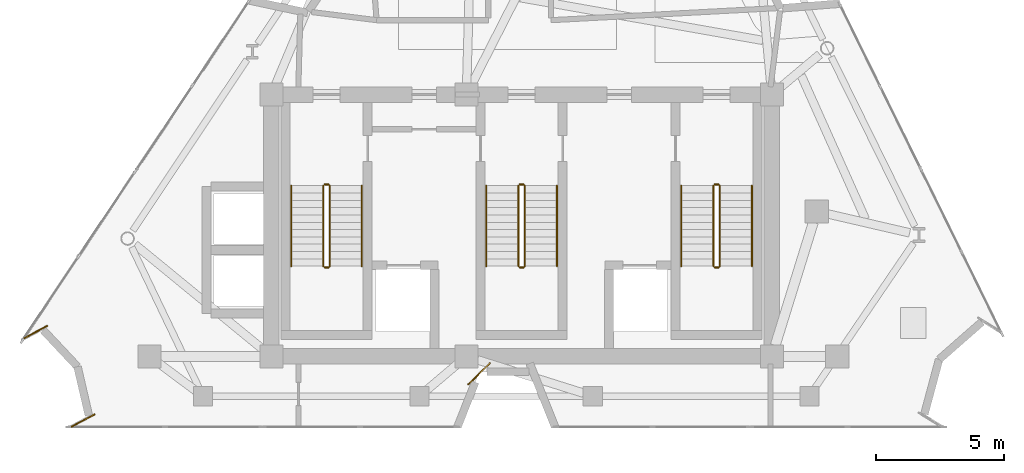
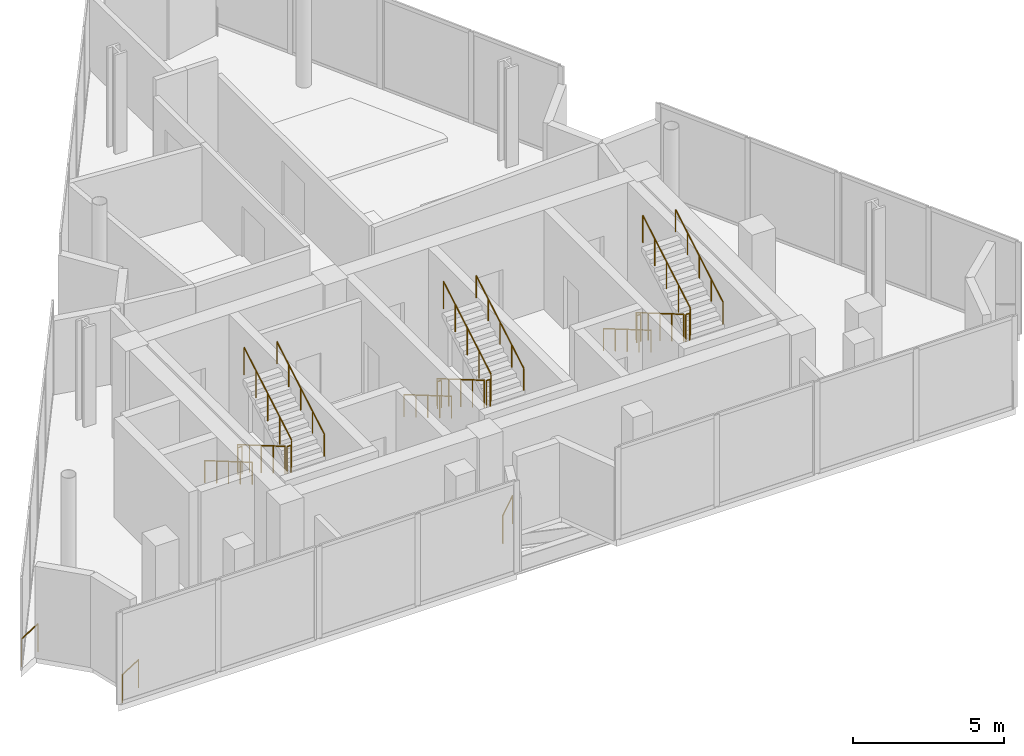
# One storey, part 8 of 9: 21 railings.
"""IFC4 building model written with IfcOpenShell, lengths in metres."""

import ifcopenshell
import ifcopenshell.guid

model = None  # the IFC model being written
_history = None  # IfcOwnerHistory: only IFC2X3 demands one
_inside = {}  # id of a spatial element -> (the spatial element, [elements in it])
_under = {}  # id of a project, library or spatial element -> (it, [spatial elements below it])
_declared = {}  # id of a project -> (the project, [libraries it declares])
_typed = {}  # id of a type object -> (the type object, [elements of that type])
_made_of = {}  # id of a material, layer set ... -> (it, [elements and type objects made of it])


def new_model(schema):
    """Start an empty IFC model of exactly this schema.

    Asked for "IFC4X3", IfcOpenShell would pick the latest addendum, in which some entities
    have other attributes; the version numbers below select the first issue.
    IFC2X3 requires an IfcOwnerHistory on every rooted entity: one is made here for all.
    """
    global model, _history
    if schema == "IFC4X3":
        model = ifcopenshell.file(schema_version=(4, 3, 0, 0))
    else:
        model = ifcopenshell.file(schema=schema)
    _inside.clear()
    _under.clear()
    _declared.clear()
    _typed.clear()
    _made_of.clear()
    _history = None
    if model.schema == "IFC2X3":
        org = make("IfcOrganization", Name="unknown")
        user = make(
            "IfcPersonAndOrganization",
            ThePerson=make("IfcPerson", FamilyName="unknown"),
            TheOrganization=org,
        )
        app = make(
            "IfcApplication",
            ApplicationDeveloper=org,
            Version="unknown",
            ApplicationFullName="unknown",
            ApplicationIdentifier="unknown",
        )
        _history = make(
            "IfcOwnerHistory",
            OwningUser=user,
            OwningApplication=app,
            ChangeAction="ADDED",
            CreationDate=0,
        )
    return model


def make(cls, **values):
    """One entity of the class cls with the attributes given. An attribute that is None is left unset."""
    return model.create_entity(
        cls, **{name: value for name, value in values.items() if value is not None}
    )


def rooted(cls, **values):
    """An entity with a GlobalId (a new one), such as an element, a storey or a relation."""
    return make(cls, GlobalId=ifcopenshell.guid.new(), OwnerHistory=_history, **values)


def si_unit(unit_type, name, prefix=None):
    """IfcSIUnit, for example si_unit("LENGTHUNIT", "METRE", prefix="MILLI")."""
    return make("IfcSIUnit", UnitType=unit_type, Prefix=prefix, Name=name)


def assignment(units):
    """IfcUnitAssignment: the units of a project."""
    return None if units is None else make("IfcUnitAssignment", Units=units)


def point(xyz):
    """IfcCartesianPoint."""
    return None if xyz is None else make("IfcCartesianPoint", Coordinates=xyz)


def direction(xyz):
    """IfcDirection."""
    return None if xyz is None else make("IfcDirection", DirectionRatios=xyz)


def frame(location, z_axis=None, x_axis=None):
    """IfcAxis2Placement3D, a coordinate frame: its origin and axes. An axis left out is left unset."""
    return make(
        "IfcAxis2Placement3D",
        Location=point(location),
        Axis=direction(z_axis),
        RefDirection=direction(x_axis),
    )


def frame_2d(location, x_axis=None):
    """IfcAxis2Placement2D, a coordinate frame in the plane: its origin and x axis."""
    return make(
        "IfcAxis2Placement2D", Location=point(location), RefDirection=direction(x_axis)
    )


def origin():
    """The frame at (0, 0, 0) with its axes left unset."""
    return frame((0.0, 0.0, 0.0))


def origin_2d():
    """The frame at (0, 0) in the plane with its x axis left unset."""
    return frame_2d((0.0, 0.0))


def place(relative_to, where):
    """IfcLocalPlacement: puts the frame where relative to a parent placement (None: the world)."""
    return make(
        "IfcLocalPlacement", PlacementRelTo=relative_to, RelativePlacement=where
    )


def context(
    kind, dimensions, precision=None, world=None, true_north=None, identifier=None
):
    """IfcGeometricRepresentationContext, for example the 3D "Model" context."""
    return make(
        "IfcGeometricRepresentationContext",
        ContextIdentifier=identifier,
        ContextType=kind,
        CoordinateSpaceDimension=dimensions,
        Precision=precision,
        WorldCoordinateSystem=world,
        TrueNorth=true_north,
    )


def subcontext(parent, identifier, kind, view, scale=None):
    """IfcGeometricRepresentationSubContext, for example "Body" below "Model"."""
    return make(
        "IfcGeometricRepresentationSubContext",
        ContextIdentifier=identifier,
        ContextType=kind,
        ParentContext=parent,
        TargetScale=scale,
        TargetView=view,
    )


def project(units=None, contexts=None):
    """IfcProject with its units and contexts."""
    return rooted(
        "IfcProject",
        Name="project",
        RepresentationContexts=contexts,
        UnitsInContext=assignment(units),
    )


def spatial(cls, under=None, at=None, **own):
    """A site, building, storey or space (cls), placed at a placement, below another one or the project."""
    s = rooted(cls, ObjectPlacement=at, **own)
    if under is not None:
        _under.setdefault(under.id(), (under, []))[1].append(s)
    return s


def profile(cls, at=None, kind="AREA", **sizes):
    """A parametric profile (cls). Its sizes go by their IFC names, for example OverallWidth=200.0."""
    return make(cls, ProfileType=kind, Position=at, **sizes)


def circle(**sizes):
    """IfcCircleProfileDef."""
    return profile("IfcCircleProfileDef", **sizes)


def extrude(swept, where, along, depth):
    """IfcExtrudedAreaSolid: the profile swept, set in the frame where, extruded along a direction by depth."""
    return make(
        "IfcExtrudedAreaSolid",
        SweptArea=swept,
        Position=where,
        ExtrudedDirection=direction(along),
        Depth=depth,
    )


def shape(context_of_items, identifier, shape_type, items):
    """IfcShapeRepresentation: the items that make up one representation, for example the "Body"."""
    return make(
        "IfcShapeRepresentation",
        ContextOfItems=context_of_items,
        RepresentationIdentifier=identifier,
        RepresentationType=shape_type,
        Items=items,
    )


def material(Name=None, Category=None):
    """IfcMaterial."""
    return make("IfcMaterial", Name=Name, Category=Category)


def made_of(thing, what):
    """Note that an element or type object is made of a material, layer set ...; save() writes the relation."""
    if what is not None:
        _made_of.setdefault(what.id(), (what, []))[1].append(thing)
    return thing


def type_object(cls, material=None, **own):
    """A type object (cls), such as IfcWallType, which elements share."""
    return made_of(rooted(cls, **own), material)


def element(
    cls,
    number,
    at=None,
    inside=None,
    cuts=None,
    type_object=None,
    material=None,
    context=None,
    identifier="Body",
    shape_type=None,
    held_by="IfcProductDefinitionShape",
    body=None,
    shapes=None,
    **own,
):
    """One element of the class cls, such as IfcWall. Its Tag is "e" and its number.

    at: its placement. inside: the storey or other place that contains it. cuts: it is an
    opening in that element (IfcRelVoidsElement). A single representation is given by context,
    identifier, shape_type and body (its items); several are given by shapes. held_by: the class
    of the entity that holds the representations. save() writes the other relations.
    """
    e = rooted(cls, Tag="e%d" % number, ObjectPlacement=at, **own)
    if body is not None:
        shapes = [shape(context, identifier, shape_type, body)]
    if shapes is not None:
        e.Representation = make(held_by, Representations=shapes)
    if inside is not None:
        _inside.setdefault(inside.id(), (inside, []))[1].append(e)
    if cuts is not None:
        rooted(
            "IfcRelVoidsElement", RelatingBuildingElement=cuts, RelatedOpeningElement=e
        )
    if type_object is not None:
        _typed.setdefault(type_object.id(), (type_object, []))[1].append(e)
    return made_of(e, material)


def aggregate(whole, parts):
    """IfcRelAggregates: a whole, such as a stair, and the parts it consists of."""
    return rooted("IfcRelAggregates", RelatingObject=whole, RelatedObjects=parts)


def save(model, path):
    """Write the relations noted so far, then the file.

    IfcRelAggregates (storeys below a building ...), IfcRelContainedInSpatialStructure (elements
    in a storey), IfcRelDefinesByType, IfcRelAssociatesMaterial and IfcRelDeclares: one each for
    every whole, place, type object, material and project.
    """
    for whole, parts in _under.values():
        aggregate(whole, parts)
    for where, things in _inside.values():
        rooted(
            "IfcRelContainedInSpatialStructure",
            RelatedElements=things,
            RelatingStructure=where,
        )
    for kind, things in _typed.values():
        rooted("IfcRelDefinesByType", RelatedObjects=things, RelatingType=kind)
    for what, things in _made_of.values():
        rooted("IfcRelAssociatesMaterial", RelatedObjects=things, RelatingMaterial=what)
    for by, libraries in _declared.values():
        rooted("IfcRelDeclares", RelatingContext=by, RelatedDefinitions=libraries)
    model.write(path)


model = new_model("IFC4")

# Units and contexts
model_context = context("Model", 3, precision=1e-05, world=origin(), true_north=direction((0.0, 1.0)))
body_context = subcontext(model_context, "Body", "Model", "MODEL_VIEW")
ifc_project = project(units=[si_unit("LENGTHUNIT", "METRE"), si_unit("AREAUNIT", "SQUARE_METRE"), si_unit("VOLUMEUNIT", "CUBIC_METRE"), si_unit("PLANEANGLEUNIT", "RADIAN"), si_unit("MASSUNIT", "GRAM", prefix="KILO")], contexts=[model_context])

# Site, building, storey
site_placement = place(None, origin())
site = spatial("IfcSite", under=ifc_project, at=site_placement, CompositionType="ELEMENT")
building_placement = place(site_placement, origin())
building = spatial("IfcBuilding", under=site, at=building_placement, Name="Almagre Mirador Tower", CompositionType="ELEMENT")
storey_placement = place(building_placement, frame((0.0, 0.0, 298.5)))
storey = spatial("IfcBuildingStorey", under=building, at=storey_placement, Name="L77", CompositionType="ELEMENT", Elevation=298.5)

# Railings
ifc_material_1 = material(Name="Black anodized aluminium", Category="aluminium")
railing_type_1 = type_object("IfcRailingType", Name="RLG-BAL-1150", PredefinedType="BALUSTRADE", material=ifc_material_1)
railing_1_placement = place(storey_placement, frame((36.066162109375, 4.285400390625, 0.0)))
element("IfcRailing", 1, at=railing_1_placement, inside=storey, type_object=railing_type_1, Name="L77 perimeter edge balustrade 05", PredefinedType="BALUSTRADE", context=body_context, shape_type="SweptSolid", body=[
    extrude(circle(Radius=0.02392578125, at=origin_2d()), frame((0.0, 0.0, 1.1259765625), z_axis=(-0.715490957724, -0.698621993223, 0.0), x_axis=(0.698621993223, -0.715490957724, 0.0)), (0.0, 0.0, 1.0), 1.186767578125),
    extrude(circle(Radius=0.02099609375, at=origin_2d()), origin(), (0.0, 0.0, 1.0), 1.101806640625),
    extrude(circle(Radius=0.02099609375, at=origin_2d()), frame((-0.84912109375, -0.8291015625, 0.0)), (0.0, 0.0, 1.0), 1.101806640625),
])
railing_2_placement = place(storey_placement, frame((19.74951171875, 1.800537109375, 0.0)))
element("IfcRailing", 2, at=railing_2_placement, inside=storey, type_object=railing_type_1, Name="L77 perimeter edge balustrade 06", PredefinedType="BALUSTRADE", context=body_context, shape_type="SweptSolid", body=[
    extrude(circle(Radius=0.02392578125, at=origin_2d()), frame((0.0, 0.0, 1.1259765625), z_axis=(0.881575356013, 0.47204331546, 0.0), x_axis=(-0.47204331546, 0.881575356013, 0.0)), (0.0, 0.0, 1.0), 1.027099609375),
    extrude(circle(Radius=0.02099609375, at=origin_2d()), origin(), (0.0, 0.0, 1.0), 1.101806640625),
    extrude(circle(Radius=0.02099609375, at=origin_2d()), frame((0.905517578125, 0.48486328125, 0.0)), (0.0, 0.0, 1.0), 1.101806640625),
])
railing_3_placement = place(storey_placement, frame((18.81005859375, 5.734619140625, 0.0)))
element("IfcRailing", 3, at=railing_3_placement, inside=storey, type_object=railing_type_1, Name="L77 perimeter edge balustrade 07", PredefinedType="BALUSTRADE", context=body_context, shape_type="SweptSolid", body=[
    extrude(circle(Radius=0.02392578125, at=origin_2d()), frame((0.0, 0.0, 1.1259765625), z_axis=(-0.882069703175, -0.471118922079, 0.0), x_axis=(0.471118922079, -0.882069703175, 0.0)), (0.0, 0.0, 1.0), 1.026611328125),
    extrude(circle(Radius=0.02099609375, at=origin_2d()), origin(), (0.0, 0.0, 1.0), 1.101806640625),
    extrude(circle(Radius=0.02099609375, at=origin_2d()), frame((-0.905517578125, -0.483642578125, 0.0)), (0.0, 0.0, 1.0), 1.101806640625),
])
ifc_material_2 = material(Name="Painted galvanized steel", Category="steel")
railing_type_2 = type_object("IfcRailingType", Name="RLG-GRD-1100", PredefinedType="GUARDRAIL", material=ifc_material_2)
railing_4_placement = place(storey_placement, frame((29.574951171875, 11.199951171875, 0.166748046875)))
element("IfcRailing", 4, at=railing_4_placement, inside=storey, type_object=railing_type_2, Name="L77 ST-1 stair guard 1", PredefinedType="GUARDRAIL", context=body_context, shape_type="SweptSolid", body=[
    extrude(circle(Radius=0.02392578125, at=origin_2d()), frame((0.0, 0.0, 1.09619140625), z_axis=(0.0, -0.863239559939, 0.504794475164), x_axis=(1.0, 0.0, 0.0)), (0.0, 0.0, 1.0), 3.631591796875),
    extrude(circle(Radius=0.02099609375, at=origin_2d()), origin(), (0.0, 0.0, 1.0), 1.072021484375),
    extrude(circle(Radius=0.02099609375, at=origin_2d()), frame((0.0, -0.78369140625, 0.458251953125)), (0.0, 0.0, 1.0), 1.072021484375),
    extrude(circle(Radius=0.02099609375, at=origin_2d()), frame((0.0, -1.5673828125, 0.91650390625)), (0.0, 0.0, 1.0), 1.072021484375),
    extrude(circle(Radius=0.02099609375, at=origin_2d()), frame((0.0, -2.351318359375, 1.375)), (0.0, 0.0, 1.0), 1.072021484375),
    extrude(circle(Radius=0.02099609375, at=origin_2d()), frame((0.0, -3.135009765625, 1.833251953125)), (0.0, 0.0, 1.0), 1.072021484375),
])
railing_5_placement = place(storey_placement, frame((29.625, 8.014892578125, 2.0)))
element("IfcRailing", 5, at=railing_5_placement, inside=storey, type_object=railing_type_2, Name="L77 ST-1 stair guard 2", PredefinedType="GUARDRAIL", context=body_context, shape_type="SweptSolid", body=[
    extrude(circle(Radius=0.02392578125, at=origin_2d()), frame((0.0, 0.0, 1.09619140625), z_axis=(1.0, 0.0, 0.0), x_axis=(0.0, 1.0, 0.0)), (0.0, 0.0, 1.0), 0.14990234375),
    extrude(circle(Radius=0.02099609375, at=origin_2d()), origin(), (0.0, 0.0, 1.0), 1.072021484375),
    extrude(circle(Radius=0.02099609375, at=origin_2d()), frame((0.14990234375, 0.0, 0.0)), (0.0, 0.0, 1.0), 1.072021484375),
])
railing_6_placement = place(storey_placement, frame((29.824951171875, 8.06494140625, 2.166748046875)))
element("IfcRailing", 6, at=railing_6_placement, inside=storey, type_object=railing_type_2, Name="L77 ST-1 stair guard 3", PredefinedType="GUARDRAIL", context=body_context, shape_type="SweptSolid", body=[
    extrude(circle(Radius=0.02392578125, at=origin_2d()), frame((0.0, 0.0, 1.09619140625), z_axis=(0.0, 0.863239559939, 0.504794475164), x_axis=(-1.0, 0.0, 0.0)), (0.0, 0.0, 1.0), 3.631591796875),
    extrude(circle(Radius=0.02099609375, at=origin_2d()), origin(), (0.0, 0.0, 1.0), 1.072021484375),
    extrude(circle(Radius=0.02099609375, at=origin_2d()), frame((0.0, 0.78369140625, 0.458251953125)), (0.0, 0.0, 1.0), 1.072021484375),
    extrude(circle(Radius=0.02099609375, at=origin_2d()), frame((0.0, 1.5673828125, 0.91650390625)), (0.0, 0.0, 1.0), 1.072021484375),
    extrude(circle(Radius=0.02099609375, at=origin_2d()), frame((0.0, 2.351318359375, 1.375)), (0.0, 0.0, 1.0), 1.072021484375),
    extrude(circle(Radius=0.02099609375, at=origin_2d()), frame((0.0, 3.135009765625, 1.833251953125)), (0.0, 0.0, 1.0), 1.072021484375),
])
railing_7_placement = place(storey_placement, frame((29.625, 11.25, 0.0)))
element("IfcRailing", 7, at=railing_7_placement, inside=storey, type_object=railing_type_2, Name="L77 ST-1 stair guard 4", PredefinedType="GUARDRAIL", context=body_context, shape_type="SweptSolid", body=[
    extrude(circle(Radius=0.02392578125, at=origin_2d()), frame((0.0, 0.0, 1.09619140625), z_axis=(1.0, 0.0, 0.0), x_axis=(0.0, 1.0, 0.0)), (0.0, 0.0, 1.0), 0.14990234375),
    extrude(circle(Radius=0.02099609375, at=origin_2d()), origin(), (0.0, 0.0, 1.0), 1.072021484375),
    extrude(circle(Radius=0.02099609375, at=origin_2d()), frame((0.14990234375, 0.0, 0.0)), (0.0, 0.0, 1.0), 1.072021484375),
])
railing_8_placement = place(storey_placement, frame((37.175048828125, 11.199951171875, 0.166748046875)))
element("IfcRailing", 8, at=railing_8_placement, inside=storey, type_object=railing_type_2, Name="L77 ST-2 stair guard 1", PredefinedType="GUARDRAIL", context=body_context, shape_type="SweptSolid", body=[
    extrude(circle(Radius=0.02392578125, at=origin_2d()), frame((0.0, 0.0, 1.09619140625), z_axis=(0.0, -0.863239559939, 0.504794475164), x_axis=(1.0, 0.0, 0.0)), (0.0, 0.0, 1.0), 3.631591796875),
    extrude(circle(Radius=0.02099609375, at=origin_2d()), origin(), (0.0, 0.0, 1.0), 1.072021484375),
    extrude(circle(Radius=0.02099609375, at=origin_2d()), frame((0.0, -0.78369140625, 0.458251953125)), (0.0, 0.0, 1.0), 1.072021484375),
    extrude(circle(Radius=0.02099609375, at=origin_2d()), frame((0.0, -1.5673828125, 0.91650390625)), (0.0, 0.0, 1.0), 1.072021484375),
    extrude(circle(Radius=0.02099609375, at=origin_2d()), frame((0.0, -2.351318359375, 1.375)), (0.0, 0.0, 1.0), 1.072021484375),
    extrude(circle(Radius=0.02099609375, at=origin_2d()), frame((0.0, -3.135009765625, 1.833251953125)), (0.0, 0.0, 1.0), 1.072021484375),
])
railing_9_placement = place(storey_placement, frame((37.22509765625, 8.014892578125, 2.0)))
element("IfcRailing", 9, at=railing_9_placement, inside=storey, type_object=railing_type_2, Name="L77 ST-2 stair guard 2", PredefinedType="GUARDRAIL", context=body_context, shape_type="SweptSolid", body=[
    extrude(circle(Radius=0.02392578125, at=origin_2d()), frame((0.0, 0.0, 1.09619140625), z_axis=(1.0, 0.0, 0.0), x_axis=(0.0, 1.0, 0.0)), (0.0, 0.0, 1.0), 0.14990234375),
    extrude(circle(Radius=0.02099609375, at=origin_2d()), origin(), (0.0, 0.0, 1.0), 1.072021484375),
    extrude(circle(Radius=0.02099609375, at=origin_2d()), frame((0.14990234375, 0.0, 0.0)), (0.0, 0.0, 1.0), 1.072021484375),
])
railing_10_placement = place(storey_placement, frame((37.425048828125, 8.06494140625, 2.166748046875)))
element("IfcRailing", 10, at=railing_10_placement, inside=storey, type_object=railing_type_2, Name="L77 ST-2 stair guard 3", PredefinedType="GUARDRAIL", context=body_context, shape_type="SweptSolid", body=[
    extrude(circle(Radius=0.02392578125, at=origin_2d()), frame((0.0, 0.0, 1.09619140625), z_axis=(0.0, 0.863239559939, 0.504794475164), x_axis=(-1.0, 0.0, 0.0)), (0.0, 0.0, 1.0), 3.631591796875),
    extrude(circle(Radius=0.02099609375, at=origin_2d()), origin(), (0.0, 0.0, 1.0), 1.072021484375),
    extrude(circle(Radius=0.02099609375, at=origin_2d()), frame((0.0, 0.78369140625, 0.458251953125)), (0.0, 0.0, 1.0), 1.072021484375),
    extrude(circle(Radius=0.02099609375, at=origin_2d()), frame((0.0, 1.5673828125, 0.91650390625)), (0.0, 0.0, 1.0), 1.072021484375),
    extrude(circle(Radius=0.02099609375, at=origin_2d()), frame((0.0, 2.351318359375, 1.375)), (0.0, 0.0, 1.0), 1.072021484375),
    extrude(circle(Radius=0.02099609375, at=origin_2d()), frame((0.0, 3.135009765625, 1.833251953125)), (0.0, 0.0, 1.0), 1.072021484375),
])
railing_11_placement = place(storey_placement, frame((37.22509765625, 11.25, 0.0)))
element("IfcRailing", 11, at=railing_11_placement, inside=storey, type_object=railing_type_2, Name="L77 ST-2 stair guard 4", PredefinedType="GUARDRAIL", context=body_context, shape_type="SweptSolid", body=[
    extrude(circle(Radius=0.02392578125, at=origin_2d()), frame((0.0, 0.0, 1.09619140625), z_axis=(1.0, 0.0, 0.0), x_axis=(0.0, 1.0, 0.0)), (0.0, 0.0, 1.0), 0.14990234375),
    extrude(circle(Radius=0.02099609375, at=origin_2d()), origin(), (0.0, 0.0, 1.0), 1.072021484375),
    extrude(circle(Radius=0.02099609375, at=origin_2d()), frame((0.14990234375, 0.0, 0.0)), (0.0, 0.0, 1.0), 1.072021484375),
])
railing_12_placement = place(storey_placement, frame((44.77490234375, 11.199951171875, 0.166748046875)))
element("IfcRailing", 12, at=railing_12_placement, inside=storey, type_object=railing_type_2, Name="L77 ST-3 stair guard 1", PredefinedType="GUARDRAIL", context=body_context, shape_type="SweptSolid", body=[
    extrude(circle(Radius=0.02392578125, at=origin_2d()), frame((0.0, 0.0, 1.09619140625), z_axis=(0.0, -0.863239559939, 0.504794475164), x_axis=(1.0, 0.0, 0.0)), (0.0, 0.0, 1.0), 3.631591796875),
    extrude(circle(Radius=0.02099609375, at=origin_2d()), origin(), (0.0, 0.0, 1.0), 1.072021484375),
    extrude(circle(Radius=0.02099609375, at=origin_2d()), frame((0.0, -0.78369140625, 0.458251953125)), (0.0, 0.0, 1.0), 1.072021484375),
    extrude(circle(Radius=0.02099609375, at=origin_2d()), frame((0.0, -1.5673828125, 0.91650390625)), (0.0, 0.0, 1.0), 1.072021484375),
    extrude(circle(Radius=0.02099609375, at=origin_2d()), frame((0.0, -2.351318359375, 1.375)), (0.0, 0.0, 1.0), 1.072021484375),
    extrude(circle(Radius=0.02099609375, at=origin_2d()), frame((0.0, -3.135009765625, 1.833251953125)), (0.0, 0.0, 1.0), 1.072021484375),
])
railing_13_placement = place(storey_placement, frame((44.824951171875, 8.014892578125, 2.0)))
element("IfcRailing", 13, at=railing_13_placement, inside=storey, type_object=railing_type_2, Name="L77 ST-3 stair guard 2", PredefinedType="GUARDRAIL", context=body_context, shape_type="SweptSolid", body=[
    extrude(circle(Radius=0.02392578125, at=origin_2d()), frame((0.0, 0.0, 1.09619140625), z_axis=(1.0, 0.0, 0.0), x_axis=(0.0, 1.0, 0.0)), (0.0, 0.0, 1.0), 0.150146484375),
    extrude(circle(Radius=0.02099609375, at=origin_2d()), origin(), (0.0, 0.0, 1.0), 1.072021484375),
    extrude(circle(Radius=0.02099609375, at=origin_2d()), frame((0.150146484375, 0.0, 0.0)), (0.0, 0.0, 1.0), 1.072021484375),
])
railing_14_placement = place(storey_placement, frame((45.02490234375, 8.06494140625, 2.166748046875)))
element("IfcRailing", 14, at=railing_14_placement, inside=storey, type_object=railing_type_2, Name="L77 ST-3 stair guard 3", PredefinedType="GUARDRAIL", context=body_context, shape_type="SweptSolid", body=[
    extrude(circle(Radius=0.02392578125, at=origin_2d()), frame((0.0, 0.0, 1.09619140625), z_axis=(0.0, 0.863239559939, 0.504794475164), x_axis=(-1.0, 0.0, 0.0)), (0.0, 0.0, 1.0), 3.631591796875),
    extrude(circle(Radius=0.02099609375, at=origin_2d()), origin(), (0.0, 0.0, 1.0), 1.072021484375),
    extrude(circle(Radius=0.02099609375, at=origin_2d()), frame((0.0, 0.78369140625, 0.458251953125)), (0.0, 0.0, 1.0), 1.072021484375),
    extrude(circle(Radius=0.02099609375, at=origin_2d()), frame((0.0, 1.5673828125, 0.91650390625)), (0.0, 0.0, 1.0), 1.072021484375),
    extrude(circle(Radius=0.02099609375, at=origin_2d()), frame((0.0, 2.351318359375, 1.375)), (0.0, 0.0, 1.0), 1.072021484375),
    extrude(circle(Radius=0.02099609375, at=origin_2d()), frame((0.0, 3.135009765625, 1.833251953125)), (0.0, 0.0, 1.0), 1.072021484375),
])
railing_15_placement = place(storey_placement, frame((44.824951171875, 11.25, 0.0)))
element("IfcRailing", 15, at=railing_15_placement, inside=storey, type_object=railing_type_2, Name="L77 ST-3 stair guard 4", PredefinedType="GUARDRAIL", context=body_context, shape_type="SweptSolid", body=[
    extrude(circle(Radius=0.02392578125, at=origin_2d()), frame((0.0, 0.0, 1.09619140625), z_axis=(1.0, 0.0, 0.0), x_axis=(0.0, 1.0, 0.0)), (0.0, 0.0, 1.0), 0.150146484375),
    extrude(circle(Radius=0.02099609375, at=origin_2d()), origin(), (0.0, 0.0, 1.0), 1.072021484375),
    extrude(circle(Radius=0.02099609375, at=origin_2d()), frame((0.150146484375, 0.0, 0.0)), (0.0, 0.0, 1.0), 1.072021484375),
])
ifc_material_3 = material(Name="Brushed stainless steel", Category="steel")
railing_type_3 = type_object("IfcRailingType", Name="RLG-HND-915", PredefinedType="HANDRAIL", material=ifc_material_3)
railing_16_placement = place(storey_placement, frame((28.324951171875, 11.199951171875, 0.166748046875)))
element("IfcRailing", 16, at=railing_16_placement, inside=storey, type_object=railing_type_3, Name="L77 ST-1 stair handrail 1", PredefinedType="HANDRAIL", context=body_context, shape_type="SweptSolid", body=[
    extrude(circle(Radius=0.02392578125, at=origin_2d()), frame((0.0, 0.0, 0.89111328125), z_axis=(0.0, -0.863239559939, 0.504794475164), x_axis=(1.0, 0.0, 0.0)), (0.0, 0.0, 1.0), 3.631591796875),
    extrude(circle(Radius=0.02099609375, at=origin_2d()), origin(), (0.0, 0.0, 1.0), 0.866943359375),
    extrude(circle(Radius=0.02099609375, at=origin_2d()), frame((0.0, -0.78369140625, 0.458251953125)), (0.0, 0.0, 1.0), 0.866943359375),
    extrude(circle(Radius=0.02099609375, at=origin_2d()), frame((0.0, -1.5673828125, 0.91650390625)), (0.0, 0.0, 1.0), 0.866943359375),
    extrude(circle(Radius=0.02099609375, at=origin_2d()), frame((0.0, -2.351318359375, 1.375)), (0.0, 0.0, 1.0), 0.866943359375),
    extrude(circle(Radius=0.02099609375, at=origin_2d()), frame((0.0, -3.135009765625, 1.833251953125)), (0.0, 0.0, 1.0), 0.866943359375),
])
railing_17_placement = place(storey_placement, frame((31.074951171875, 8.06494140625, 2.166748046875)))
element("IfcRailing", 17, at=railing_17_placement, inside=storey, type_object=railing_type_3, Name="L77 ST-1 stair handrail 2", PredefinedType="HANDRAIL", context=body_context, shape_type="SweptSolid", body=[
    extrude(circle(Radius=0.02392578125, at=origin_2d()), frame((0.0, 0.0, 0.89111328125), z_axis=(0.0, 0.863239559939, 0.504794475164), x_axis=(-1.0, 0.0, 0.0)), (0.0, 0.0, 1.0), 3.631591796875),
    extrude(circle(Radius=0.02099609375, at=origin_2d()), origin(), (0.0, 0.0, 1.0), 0.866943359375),
    extrude(circle(Radius=0.02099609375, at=origin_2d()), frame((0.0, 0.78369140625, 0.458251953125)), (0.0, 0.0, 1.0), 0.866943359375),
    extrude(circle(Radius=0.02099609375, at=origin_2d()), frame((0.0, 1.5673828125, 0.91650390625)), (0.0, 0.0, 1.0), 0.866943359375),
    extrude(circle(Radius=0.02099609375, at=origin_2d()), frame((0.0, 2.351318359375, 1.375)), (0.0, 0.0, 1.0), 0.866943359375),
    extrude(circle(Radius=0.02099609375, at=origin_2d()), frame((0.0, 3.135009765625, 1.833251953125)), (0.0, 0.0, 1.0), 0.866943359375),
])
railing_18_placement = place(storey_placement, frame((35.925048828125, 11.199951171875, 0.166748046875)))
element("IfcRailing", 18, at=railing_18_placement, inside=storey, type_object=railing_type_3, Name="L77 ST-2 stair handrail 1", PredefinedType="HANDRAIL", context=body_context, shape_type="SweptSolid", body=[
    extrude(circle(Radius=0.02392578125, at=origin_2d()), frame((0.0, 0.0, 0.89111328125), z_axis=(0.0, -0.863239559939, 0.504794475164), x_axis=(1.0, 0.0, 0.0)), (0.0, 0.0, 1.0), 3.631591796875),
    extrude(circle(Radius=0.02099609375, at=origin_2d()), origin(), (0.0, 0.0, 1.0), 0.866943359375),
    extrude(circle(Radius=0.02099609375, at=origin_2d()), frame((0.0, -0.78369140625, 0.458251953125)), (0.0, 0.0, 1.0), 0.866943359375),
    extrude(circle(Radius=0.02099609375, at=origin_2d()), frame((0.0, -1.5673828125, 0.91650390625)), (0.0, 0.0, 1.0), 0.866943359375),
    extrude(circle(Radius=0.02099609375, at=origin_2d()), frame((0.0, -2.351318359375, 1.375)), (0.0, 0.0, 1.0), 0.866943359375),
    extrude(circle(Radius=0.02099609375, at=origin_2d()), frame((0.0, -3.135009765625, 1.833251953125)), (0.0, 0.0, 1.0), 0.866943359375),
])
railing_19_placement = place(storey_placement, frame((38.675048828125, 8.06494140625, 2.166748046875)))
element("IfcRailing", 19, at=railing_19_placement, inside=storey, type_object=railing_type_3, Name="L77 ST-2 stair handrail 2", PredefinedType="HANDRAIL", context=body_context, shape_type="SweptSolid", body=[
    extrude(circle(Radius=0.02392578125, at=origin_2d()), frame((0.0, 0.0, 0.89111328125), z_axis=(0.0, 0.863239559939, 0.504794475164), x_axis=(-1.0, 0.0, 0.0)), (0.0, 0.0, 1.0), 3.631591796875),
    extrude(circle(Radius=0.02099609375, at=origin_2d()), origin(), (0.0, 0.0, 1.0), 0.866943359375),
    extrude(circle(Radius=0.02099609375, at=origin_2d()), frame((0.0, 0.78369140625, 0.458251953125)), (0.0, 0.0, 1.0), 0.866943359375),
    extrude(circle(Radius=0.02099609375, at=origin_2d()), frame((0.0, 1.5673828125, 0.91650390625)), (0.0, 0.0, 1.0), 0.866943359375),
    extrude(circle(Radius=0.02099609375, at=origin_2d()), frame((0.0, 2.351318359375, 1.375)), (0.0, 0.0, 1.0), 0.866943359375),
    extrude(circle(Radius=0.02099609375, at=origin_2d()), frame((0.0, 3.135009765625, 1.833251953125)), (0.0, 0.0, 1.0), 0.866943359375),
])
railing_20_placement = place(storey_placement, frame((43.52490234375, 11.199951171875, 0.166748046875)))
element("IfcRailing", 20, at=railing_20_placement, inside=storey, type_object=railing_type_3, Name="L77 ST-3 stair handrail 1", PredefinedType="HANDRAIL", context=body_context, shape_type="SweptSolid", body=[
    extrude(circle(Radius=0.02392578125, at=origin_2d()), frame((0.0, 0.0, 0.89111328125), z_axis=(0.0, -0.863239559939, 0.504794475164), x_axis=(1.0, 0.0, 0.0)), (0.0, 0.0, 1.0), 3.631591796875),
    extrude(circle(Radius=0.02099609375, at=origin_2d()), origin(), (0.0, 0.0, 1.0), 0.866943359375),
    extrude(circle(Radius=0.02099609375, at=origin_2d()), frame((0.0, -0.78369140625, 0.458251953125)), (0.0, 0.0, 1.0), 0.866943359375),
    extrude(circle(Radius=0.02099609375, at=origin_2d()), frame((0.0, -1.5673828125, 0.91650390625)), (0.0, 0.0, 1.0), 0.866943359375),
    extrude(circle(Radius=0.02099609375, at=origin_2d()), frame((0.0, -2.351318359375, 1.375)), (0.0, 0.0, 1.0), 0.866943359375),
    extrude(circle(Radius=0.02099609375, at=origin_2d()), frame((0.0, -3.135009765625, 1.833251953125)), (0.0, 0.0, 1.0), 0.866943359375),
])
railing_21_placement = place(storey_placement, frame((46.27490234375, 8.06494140625, 2.166748046875)))
element("IfcRailing", 21, at=railing_21_placement, inside=storey, type_object=railing_type_3, Name="L77 ST-3 stair handrail 2", PredefinedType="HANDRAIL", context=body_context, shape_type="SweptSolid", body=[
    extrude(circle(Radius=0.02392578125, at=origin_2d()), frame((0.0, 0.0, 0.89111328125), z_axis=(0.0, 0.863239559939, 0.504794475164), x_axis=(-1.0, 0.0, 0.0)), (0.0, 0.0, 1.0), 3.631591796875),
    extrude(circle(Radius=0.02099609375, at=origin_2d()), origin(), (0.0, 0.0, 1.0), 0.866943359375),
    extrude(circle(Radius=0.02099609375, at=origin_2d()), frame((0.0, 0.78369140625, 0.458251953125)), (0.0, 0.0, 1.0), 0.866943359375),
    extrude(circle(Radius=0.02099609375, at=origin_2d()), frame((0.0, 1.5673828125, 0.91650390625)), (0.0, 0.0, 1.0), 0.866943359375),
    extrude(circle(Radius=0.02099609375, at=origin_2d()), frame((0.0, 2.351318359375, 1.375)), (0.0, 0.0, 1.0), 0.866943359375),
    extrude(circle(Radius=0.02099609375, at=origin_2d()), frame((0.0, 3.135009765625, 1.833251953125)), (0.0, 0.0, 1.0), 0.866943359375),
])

save(model, "model.ifc")
